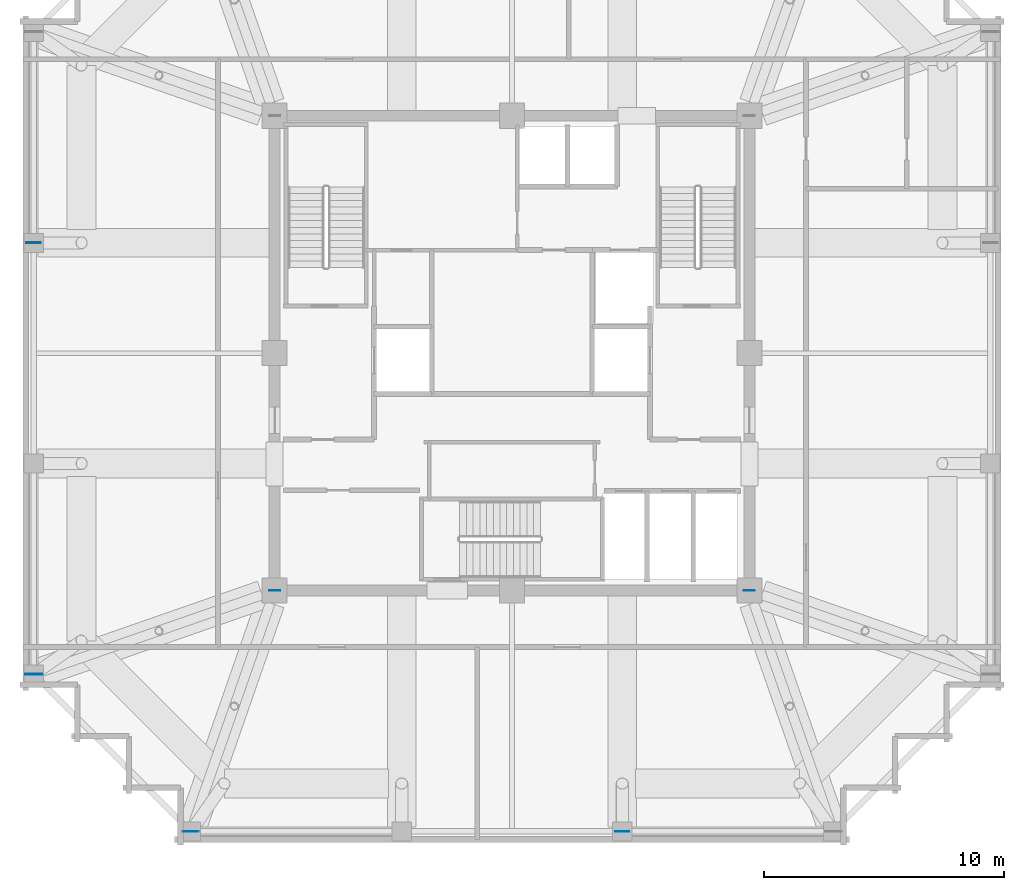
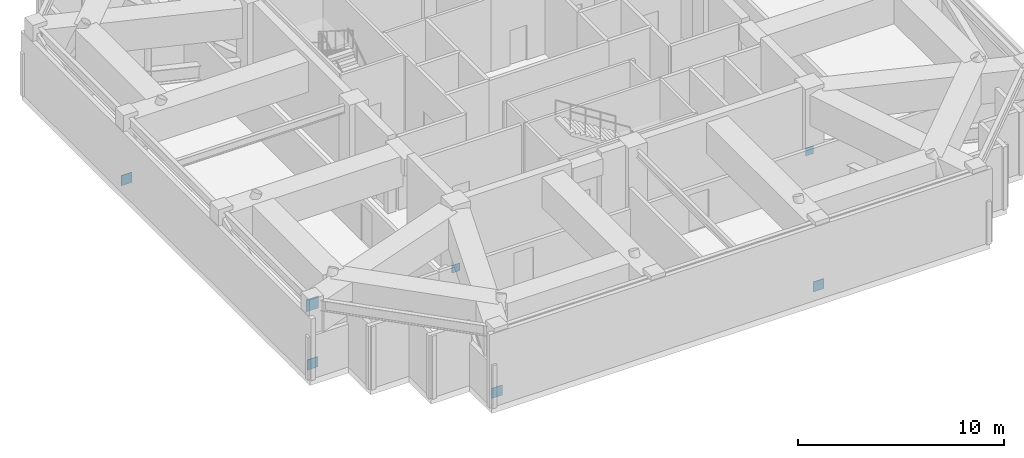
# One storey, part 8 of 14: 7 plates.
"""IFC4 building model written with IfcOpenShell, lengths in metres."""

import ifcopenshell
import ifcopenshell.guid

model = None  # the IFC model being written
_history = None  # IfcOwnerHistory: only IFC2X3 demands one
_inside = {}  # id of a spatial element -> (the spatial element, [elements in it])
_under = {}  # id of a project, library or spatial element -> (it, [spatial elements below it])
_declared = {}  # id of a project -> (the project, [libraries it declares])
_typed = {}  # id of a type object -> (the type object, [elements of that type])
_made_of = {}  # id of a material, layer set ... -> (it, [elements and type objects made of it])


def new_model(schema):
    """Start an empty IFC model of exactly this schema.

    Asked for "IFC4X3", IfcOpenShell would pick the latest addendum, in which some entities
    have other attributes; the version numbers below select the first issue.
    IFC2X3 requires an IfcOwnerHistory on every rooted entity: one is made here for all.
    """
    global model, _history
    if schema == "IFC4X3":
        model = ifcopenshell.file(schema_version=(4, 3, 0, 0))
    else:
        model = ifcopenshell.file(schema=schema)
    _inside.clear()
    _under.clear()
    _declared.clear()
    _typed.clear()
    _made_of.clear()
    _history = None
    if model.schema == "IFC2X3":
        org = make("IfcOrganization", Name="unknown")
        user = make(
            "IfcPersonAndOrganization",
            ThePerson=make("IfcPerson", FamilyName="unknown"),
            TheOrganization=org,
        )
        app = make(
            "IfcApplication",
            ApplicationDeveloper=org,
            Version="unknown",
            ApplicationFullName="unknown",
            ApplicationIdentifier="unknown",
        )
        _history = make(
            "IfcOwnerHistory",
            OwningUser=user,
            OwningApplication=app,
            ChangeAction="ADDED",
            CreationDate=0,
        )
    return model


def make(cls, **values):
    """One entity of the class cls with the attributes given. An attribute that is None is left unset."""
    return model.create_entity(
        cls, **{name: value for name, value in values.items() if value is not None}
    )


def rooted(cls, **values):
    """An entity with a GlobalId (a new one), such as an element, a storey or a relation."""
    return make(cls, GlobalId=ifcopenshell.guid.new(), OwnerHistory=_history, **values)


def si_unit(unit_type, name, prefix=None):
    """IfcSIUnit, for example si_unit("LENGTHUNIT", "METRE", prefix="MILLI")."""
    return make("IfcSIUnit", UnitType=unit_type, Prefix=prefix, Name=name)


def assignment(units):
    """IfcUnitAssignment: the units of a project."""
    return None if units is None else make("IfcUnitAssignment", Units=units)


def point(xyz):
    """IfcCartesianPoint."""
    return None if xyz is None else make("IfcCartesianPoint", Coordinates=xyz)


def direction(xyz):
    """IfcDirection."""
    return None if xyz is None else make("IfcDirection", DirectionRatios=xyz)


def frame(location, z_axis=None, x_axis=None):
    """IfcAxis2Placement3D, a coordinate frame: its origin and axes. An axis left out is left unset."""
    return make(
        "IfcAxis2Placement3D",
        Location=point(location),
        Axis=direction(z_axis),
        RefDirection=direction(x_axis),
    )


def frame_2d(location, x_axis=None):
    """IfcAxis2Placement2D, a coordinate frame in the plane: its origin and x axis."""
    return make(
        "IfcAxis2Placement2D", Location=point(location), RefDirection=direction(x_axis)
    )


def origin():
    """The frame at (0, 0, 0) with its axes left unset."""
    return frame((0.0, 0.0, 0.0))


def origin_2d():
    """The frame at (0, 0) in the plane with its x axis left unset."""
    return frame_2d((0.0, 0.0))


def place(relative_to, where):
    """IfcLocalPlacement: puts the frame where relative to a parent placement (None: the world)."""
    return make(
        "IfcLocalPlacement", PlacementRelTo=relative_to, RelativePlacement=where
    )


def context(
    kind, dimensions, precision=None, world=None, true_north=None, identifier=None
):
    """IfcGeometricRepresentationContext, for example the 3D "Model" context."""
    return make(
        "IfcGeometricRepresentationContext",
        ContextIdentifier=identifier,
        ContextType=kind,
        CoordinateSpaceDimension=dimensions,
        Precision=precision,
        WorldCoordinateSystem=world,
        TrueNorth=true_north,
    )


def subcontext(parent, identifier, kind, view, scale=None):
    """IfcGeometricRepresentationSubContext, for example "Body" below "Model"."""
    return make(
        "IfcGeometricRepresentationSubContext",
        ContextIdentifier=identifier,
        ContextType=kind,
        ParentContext=parent,
        TargetScale=scale,
        TargetView=view,
    )


def project(units=None, contexts=None):
    """IfcProject with its units and contexts."""
    return rooted(
        "IfcProject",
        Name="project",
        RepresentationContexts=contexts,
        UnitsInContext=assignment(units),
    )


def spatial(cls, under=None, at=None, **own):
    """A site, building, storey or space (cls), placed at a placement, below another one or the project."""
    s = rooted(cls, ObjectPlacement=at, **own)
    if under is not None:
        _under.setdefault(under.id(), (under, []))[1].append(s)
    return s


def profile(cls, at=None, kind="AREA", **sizes):
    """A parametric profile (cls). Its sizes go by their IFC names, for example OverallWidth=200.0."""
    return make(cls, ProfileType=kind, Position=at, **sizes)


def rectangle(**sizes):
    """IfcRectangleProfileDef."""
    return profile("IfcRectangleProfileDef", **sizes)


def extrude(swept, where, along, depth):
    """IfcExtrudedAreaSolid: the profile swept, set in the frame where, extruded along a direction by depth."""
    return make(
        "IfcExtrudedAreaSolid",
        SweptArea=swept,
        Position=where,
        ExtrudedDirection=direction(along),
        Depth=depth,
    )


def shape(context_of_items, identifier, shape_type, items):
    """IfcShapeRepresentation: the items that make up one representation, for example the "Body"."""
    return make(
        "IfcShapeRepresentation",
        ContextOfItems=context_of_items,
        RepresentationIdentifier=identifier,
        RepresentationType=shape_type,
        Items=items,
    )


def material(Name=None, Category=None):
    """IfcMaterial."""
    return make("IfcMaterial", Name=Name, Category=Category)


def layer(
    of_material, thickness, ventilated=None, Name=None, Category=None, Priority=None
):
    """IfcMaterialLayer: one layer of a wall or slab, of a material (None: an air gap)."""
    return make(
        "IfcMaterialLayer",
        Material=of_material,
        LayerThickness=thickness,
        IsVentilated=ventilated,
        Name=Name,
        Category=Category,
        Priority=Priority,
    )


def layer_set(layers, Name=None):
    """IfcMaterialLayerSet."""
    return make("IfcMaterialLayerSet", MaterialLayers=layers, LayerSetName=Name)


def made_of(thing, what):
    """Note that an element or type object is made of a material, layer set ...; save() writes the relation."""
    if what is not None:
        _made_of.setdefault(what.id(), (what, []))[1].append(thing)
    return thing


def type_object(cls, material=None, **own):
    """A type object (cls), such as IfcWallType, which elements share."""
    return made_of(rooted(cls, **own), material)


def element(
    cls,
    number,
    at=None,
    inside=None,
    cuts=None,
    type_object=None,
    material=None,
    context=None,
    identifier="Body",
    shape_type=None,
    held_by="IfcProductDefinitionShape",
    body=None,
    shapes=None,
    **own,
):
    """One element of the class cls, such as IfcWall. Its Tag is "e" and its number.

    at: its placement. inside: the storey or other place that contains it. cuts: it is an
    opening in that element (IfcRelVoidsElement). A single representation is given by context,
    identifier, shape_type and body (its items); several are given by shapes. held_by: the class
    of the entity that holds the representations. save() writes the other relations.
    """
    e = rooted(cls, Tag="e%d" % number, ObjectPlacement=at, **own)
    if body is not None:
        shapes = [shape(context, identifier, shape_type, body)]
    if shapes is not None:
        e.Representation = make(held_by, Representations=shapes)
    if inside is not None:
        _inside.setdefault(inside.id(), (inside, []))[1].append(e)
    if cuts is not None:
        rooted(
            "IfcRelVoidsElement", RelatingBuildingElement=cuts, RelatedOpeningElement=e
        )
    if type_object is not None:
        _typed.setdefault(type_object.id(), (type_object, []))[1].append(e)
    return made_of(e, material)


def aggregate(whole, parts):
    """IfcRelAggregates: a whole, such as a stair, and the parts it consists of."""
    return rooted("IfcRelAggregates", RelatingObject=whole, RelatedObjects=parts)


def save(model, path):
    """Write the relations noted so far, then the file.

    IfcRelAggregates (storeys below a building ...), IfcRelContainedInSpatialStructure (elements
    in a storey), IfcRelDefinesByType, IfcRelAssociatesMaterial and IfcRelDeclares: one each for
    every whole, place, type object, material and project.
    """
    for whole, parts in _under.values():
        aggregate(whole, parts)
    for where, things in _inside.values():
        rooted(
            "IfcRelContainedInSpatialStructure",
            RelatedElements=things,
            RelatingStructure=where,
        )
    for kind, things in _typed.values():
        rooted("IfcRelDefinesByType", RelatedObjects=things, RelatingType=kind)
    for what, things in _made_of.values():
        rooted("IfcRelAssociatesMaterial", RelatedObjects=things, RelatingMaterial=what)
    for by, libraries in _declared.values():
        rooted("IfcRelDeclares", RelatingContext=by, RelatedDefinitions=libraries)
    model.write(path)


model = new_model("IFC4")

# Units and contexts
model_context = context("Model", 3, precision=1e-05, world=origin(), true_north=direction((0.0, 1.0)))
body_context = subcontext(model_context, "Body", "Model", "MODEL_VIEW")
ifc_project = project(units=[si_unit("LENGTHUNIT", "METRE"), si_unit("AREAUNIT", "SQUARE_METRE"), si_unit("VOLUMEUNIT", "CUBIC_METRE"), si_unit("PLANEANGLEUNIT", "RADIAN"), si_unit("MASSUNIT", "GRAM", prefix="KILO")], contexts=[model_context])

# Site, building, storey
site_placement = place(None, origin())
site = spatial("IfcSite", under=ifc_project, at=site_placement, CompositionType="ELEMENT")
building_placement = place(site_placement, origin())
building = spatial("IfcBuilding", under=site, at=building_placement, Name="Kolvaren Belvedere", CompositionType="ELEMENT")
storey_placement = place(building_placement, frame((0.0, 0.0, 232.800048828125)))
storey = spatial("IfcBuildingStorey", under=building, at=storey_placement, Name="L68", CompositionType="ELEMENT", Elevation=232.800048828125)

# Plates
ifc_material_1 = material(Name="Structural steel ASTM A572 Grade 50", Category="steel")
ifc_layer_1 = layer(ifc_material_1, 0.02490234375)
ifc_layer_set_1 = layer_set([ifc_layer_1], Name="Structural steel ASTM A572 Grade 50")
plate_type_1 = type_object("IfcPlateType", Name="PL-GUSSET-25", PredefinedType="USERDEFINED", material=ifc_layer_set_1)
for number, where, z_axis, x_axis, name in (
    (1, (-9.89990234375, -9.89990234375, 0.2548828125), (0.0, 0.0, 1.0), (1.0, 0.0, 0.0), "L68 Outrigger Node Cap Gusset OC-CC1"),
    (2, (9.89990234375, -9.89990234375, 0.2548828125), (0.0, 0.0, 1.0), (1.0, 0.0, 0.0), "L68 Outrigger Node Cap Gusset OC-CC2"),
):
    element("IfcPlate", number, at=place(storey_placement, frame(where, z_axis=z_axis, x_axis=x_axis)), inside=storey, type_object=plate_type_1, Name=name, ObjectType="GUSSET PLATE", PredefinedType="USERDEFINED", context=body_context, shape_type="SweptSolid", body=[
        extrude(rectangle(XDim=0.449951171875, YDim=0.02490234375, at=origin_2d()), origin(), (0.0, 0.0, 1.0), 0.449951171875),
    ])
ifc_material_2 = material(Name="Structural steel ASTM A572 Grade 50", Category="steel")
ifc_layer_2 = layer(ifc_material_2, 0.031982421875)
ifc_layer_set_2 = layer_set([ifc_layer_2], Name="Structural steel ASTM A572 Grade 50")
plate_type_2 = type_object("IfcPlateType", Name="PL-GUSSET-32", PredefinedType="USERDEFINED", material=ifc_layer_set_2)
for number, where, z_axis, x_axis, name in (
    (3, (-13.39990234375, -19.949951171875, 0.179931640625), (0.0, 0.0, 1.0), (1.0, 0.0, 0.0), "L68 Belt Truss Node Gusset BN-1"),
    (4, (4.60009765625, -19.949951171875, 0.179931640625), (0.0, 0.0, 1.0), (1.0, 0.0, 0.0), "L68 Belt Truss Node Gusset BN-2"),
    (5, (-19.949951171875, -13.39990234375, 0.179931640625), (0.0, 0.0, 1.0), (1.0, 0.0, 0.0), "L68 Belt Truss Node Gusset BN-5"),
    (6, (-19.949951171875, 4.60009765625, 0.179931640625), (0.0, 0.0, 1.0), (1.0, 0.0, 0.0), "L68 Belt Truss Node Gusset BN-6"),
):
    element("IfcPlate", number, at=place(storey_placement, frame(where, z_axis=z_axis, x_axis=x_axis)), inside=storey, type_object=plate_type_2, Name=name, ObjectType="GUSSET PLATE", PredefinedType="USERDEFINED", context=body_context, shape_type="SweptSolid", body=[
        extrude(rectangle(XDim=0.60009765625, YDim=0.031982421875, at=origin_2d()), origin(), (0.0, 0.0, 1.0), 0.60009765625),
    ])
ifc_material_3 = material(Name="Structural steel ASTM A572 Grade 50", Category="steel")
ifc_layer_3 = layer(ifc_material_3, 0.0400390625)
ifc_layer_set_3 = layer_set([ifc_layer_3], Name="Structural steel ASTM A572 Grade 50")
plate_type_3 = type_object("IfcPlateType", Name="PL-GUSSET-40", PredefinedType="USERDEFINED", material=ifc_layer_set_3)
plate_placement = place(storey_placement, frame((-19.949951171875, -13.39990234375, 3.64990234375), z_axis=(0.0, 0.0, 1.0), x_axis=(1.0, 0.0, 0.0)))
element("IfcPlate", 7, at=plate_placement, inside=storey, type_object=plate_type_3, Name="L68 Outrigger Truss Node Gusset ON-2", ObjectType="GUSSET PLATE", PredefinedType="USERDEFINED", context=body_context, shape_type="SweptSolid", body=[
    extrude(rectangle(XDim=0.699951171875, YDim=0.0400390625, at=origin_2d()), origin(), (0.0, 0.0, 1.0), 0.699951171875),
])

save(model, "model.ifc")
